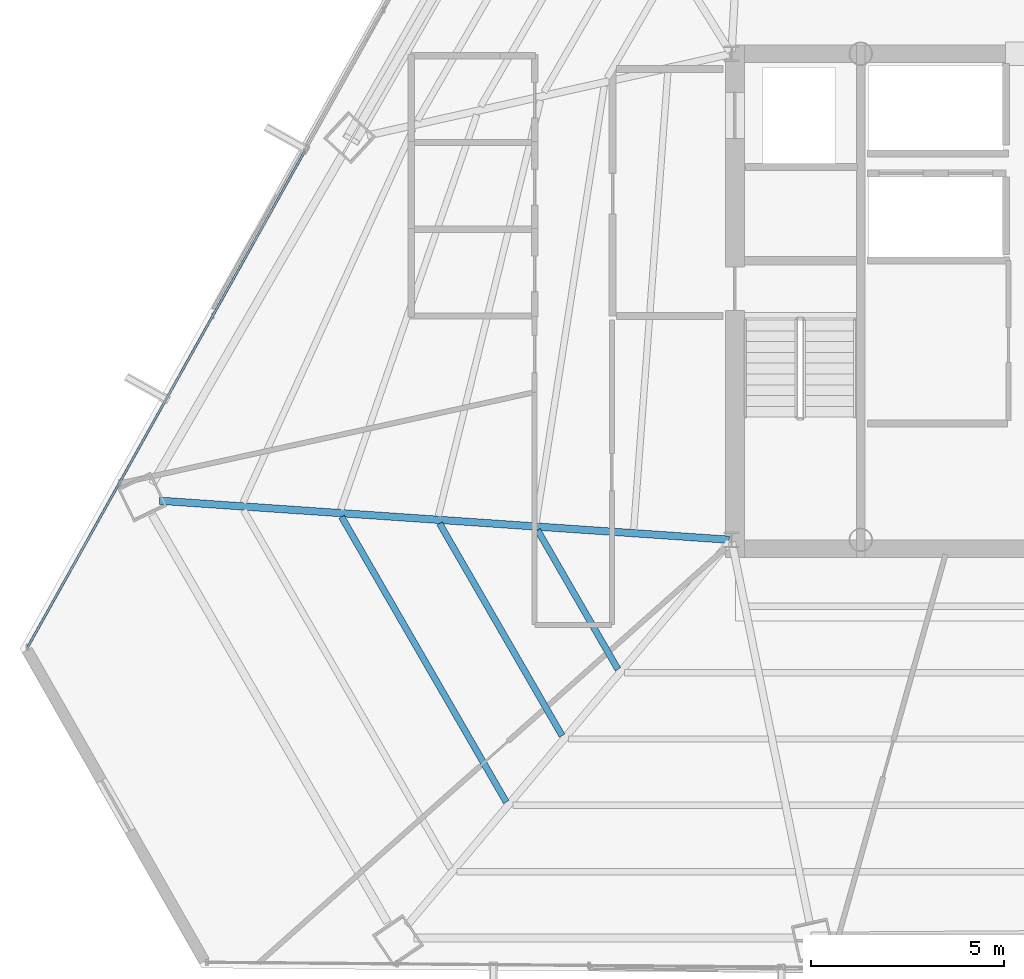
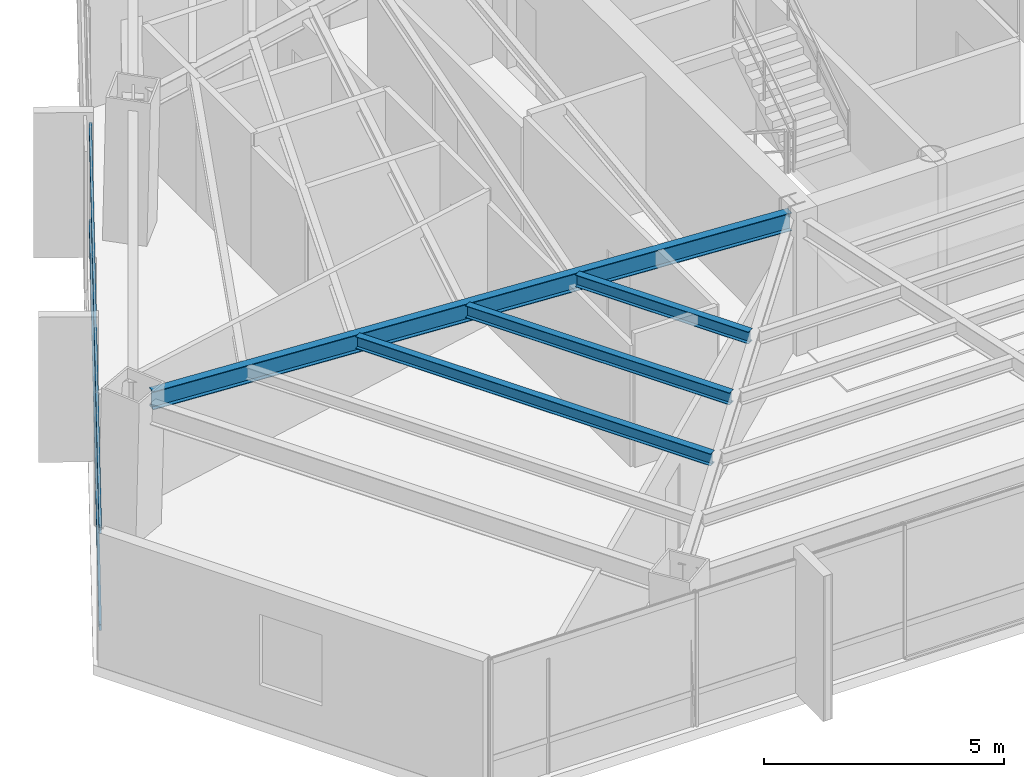
# One storey, part 7 of 39: 4 beams, 2 members, 1 element without a shape of its own.
"""IFC4 building model written with IfcOpenShell, lengths in metres."""

from ifc_helpers import new_model, si_unit, direction, frame, origin, origin_2d, place, context, subcontext, project, spatial, hollow_rectangle, i_section, extrude, source, transform, mapped, material, material_profile, profile_set, type_object, type_shapes, element, aggregate, save


model = new_model("IFC4")

# Units and contexts
model_context = context("Model", 3, precision=1e-05, world=origin(), true_north=direction((0.0, 1.0)))
body_context = subcontext(model_context, "Body", "Model", "MODEL_VIEW")
ifc_project = project(units=[si_unit("LENGTHUNIT", "METRE"), si_unit("AREAUNIT", "SQUARE_METRE"), si_unit("VOLUMEUNIT", "CUBIC_METRE"), si_unit("PLANEANGLEUNIT", "RADIAN"), si_unit("MASSUNIT", "GRAM", prefix="KILO")], contexts=[model_context])

# Site, building, storey
site_placement = place(None, origin())
site = spatial("IfcSite", under=ifc_project, at=site_placement, CompositionType="ELEMENT")
building_placement = place(site_placement, origin())
building = spatial("IfcBuilding", under=site, at=building_placement, Name="Caelisora Broadcast Tower", CompositionType="ELEMENT")
storey_placement = place(building_placement, frame((0.0, 0.0, 139.10009765625)))
storey = spatial("IfcBuildingStorey", under=building, at=storey_placement, Name="L36", CompositionType="ELEMENT", Elevation=139.10009765625)

# Beams
ifc_material_1 = material(Name="Steel Grade 350 (AS/NZS 3679.1)", Category="steel")
ifc_material_profile_1 = material_profile(ifc_material_1, i_section(OverallWidth=0.19091796875, OverallDepth=0.46044921875, WebThickness=0.010009765625, FlangeThickness=0.01611328125, at=origin_2d()), Name="Steel Grade 350 (AS/NZS 3679.1)")
ifc_profile_set_1 = profile_set([ifc_material_profile_1], Name="Steel Grade 350 (AS/NZS 3679.1)")
beam_type_1 = type_object("IfcBeamType", Name="PG06", PredefinedType="BEAM", material=ifc_profile_set_1)
shared_shape_1 = source(origin(), body_context, "Body", "SweptSolid", [
    extrude(i_section(OverallWidth=0.19091796875, OverallDepth=0.46044921875, WebThickness=0.010009765625, FlangeThickness=0.01611328125, at=origin_2d()), origin(), (0.0, 0.0, 1.0), 14.7998046875),
])
type_shapes(beam_type_1, [shared_shape_1])
beam_1_placement = place(storey_placement, frame((30.440185546875, 17.404052734375, 3.169677734375), z_axis=(-0.99766068532, 0.068360492741, 0.0), x_axis=(-0.068360492741, -0.99766068532, 0.0)))
element("IfcBeam", 1, at=beam_1_placement, inside=storey, type_object=beam_type_1, Name="L36 beam PG06", PredefinedType="BEAM", context=body_context, shape_type="MappedRepresentation", body=[
    mapped(shared_shape_1, transform((0.0, 0.0, 0.0), scale=1.0)),
])
ifc_material_profile_2 = material_profile(ifc_material_1, i_section(OverallWidth=0.166015625, OverallDepth=0.30712890625, WebThickness=0.006591796875, FlangeThickness=0.01171875, at=origin_2d()), Name="Steel Grade 350 (AS/NZS 3679.1)")
ifc_profile_set_2 = profile_set([ifc_material_profile_2], Name="Steel Grade 350 (AS/NZS 3679.1)")
beam_type_2 = type_object("IfcBeamType", Name="SB03", PredefinedType="JOIST", material=ifc_profile_set_2)
shared_shape_2 = source(origin(), body_context, "Body", "SweptSolid", [
    extrude(i_section(OverallWidth=0.166015625, OverallDepth=0.30712890625, WebThickness=0.006591796875, FlangeThickness=0.01171875, at=origin_2d()), origin(), (0.0, 0.0, 1.0), 4.163330078125),
])
beam_2_placement = place(storey_placement, frame((25.474609375, 17.651123046875, 3.246337890625), z_axis=(0.500030400183, -0.866007851519, 0.0), x_axis=(0.866007851519, 0.500030400183, 0.0)))
element("IfcBeam", 2, at=beam_2_placement, inside=storey, type_object=beam_type_2, Name="L36 beam SB03", PredefinedType="JOIST", context=body_context, shape_type="MappedRepresentation", body=[
    mapped(shared_shape_2, transform((0.0, 0.0, 0.0), scale=1.0)),
])
shared_shape_3 = source(origin(), body_context, "Body", "SweptSolid", [
    extrude(i_section(OverallWidth=0.166015625, OverallDepth=0.30712890625, WebThickness=0.006591796875, FlangeThickness=0.01171875, at=origin_2d()), origin(), (0.0, 0.0, 1.0), 6.350341796875),
])
beam_3_placement = place(storey_placement, frame((22.93408203125, 17.8251953125, 3.246337890625), z_axis=(0.499988692146, -0.866031932279, 0.0), x_axis=(0.866031932279, 0.499988692146, 0.0)))
element("IfcBeam", 3, at=beam_3_placement, inside=storey, type_object=beam_type_2, Name="L36 beam SB03", PredefinedType="JOIST", context=body_context, shape_type="MappedRepresentation", body=[
    mapped(shared_shape_3, transform((0.0, 0.0, 0.0), scale=1.0)),
])
shared_shape_4 = source(origin(), body_context, "Body", "SweptSolid", [
    extrude(i_section(OverallWidth=0.166015625, OverallDepth=0.30712890625, WebThickness=0.006591796875, FlangeThickness=0.01171875, at=origin_2d()), origin(), (0.0, 0.0, 1.0), 8.537109375),
])
type_shapes(beam_type_2, [shared_shape_2, shared_shape_3, shared_shape_4])
beam_4_placement = place(storey_placement, frame((20.393310546875, 17.999267578125, 3.246337890625), z_axis=(0.500002183393, -0.866024143198, 0.0), x_axis=(0.866024143198, 0.500002183393, 0.0)))
element("IfcBeam", 4, at=beam_4_placement, inside=storey, type_object=beam_type_2, Name="L36 beam SB03", PredefinedType="JOIST", context=body_context, shape_type="MappedRepresentation", body=[
    mapped(shared_shape_4, transform((0.0, 0.0, 0.0), scale=1.0)),
])

# Curtain wall, members
ifc_material_2 = material(Name="Unitised Aluminium and Low-E Glass Curtain Wall", Category="glass")
curtain_wall_type = type_object("IfcCurtainWallType", Name="CW-Z3", PredefinedType="NOTDEFINED", material=ifc_material_2)
curtain_wall_placement = place(storey_placement, origin())
curtain_wall = element("IfcCurtainWall", 5, at=curtain_wall_placement, inside=storey, type_object=curtain_wall_type, Name="L36 curtain wall CW-Z3", PredefinedType="NOTDEFINED")
ifc_material_3 = material(Name="Aluminium 6063-T6 Anodised Terracotta Bronze", Category="aluminium")
ifc_material_profile_3 = material_profile(ifc_material_3, hollow_rectangle(XDim=0.06005859375, YDim=0.14990234375, WallThickness=0.00341796875, at=origin_2d()), Name="Aluminium 6063-T6 Anodised Terracotta Bronze")
ifc_profile_set_3 = profile_set([ifc_material_profile_3], Name="Aluminium 6063-T6 Anodised Terracotta Bronze")
member_type = type_object("IfcMemberType", Name="CWT-02", PredefinedType="USERDEFINED", material=ifc_profile_set_3)
shared_shape_5 = source(origin(), body_context, "Body", "SweptSolid", [
    extrude(hollow_rectangle(XDim=0.06005859375, YDim=0.14990234375, WallThickness=0.00341796875, at=origin_2d()), origin(), (0.0, 0.0, 1.0), 14.730224609375),
])
type_shapes(member_type, [shared_shape_5])
member_1_placement = place(storey_placement, frame((12.25537109375, 14.61669921875, 0.849853515625), z_axis=(0.487805755964, 0.872952200552, 0.0), x_axis=(-0.872952200552, 0.487805755964, 0.0)))
member_1 = element("IfcMember", 6, at=member_1_placement, type_object=member_type, Name="L36-CW-B09 transom #1", ObjectType="TRANSOM", PredefinedType="USERDEFINED", context=body_context, shape_type="MappedRepresentation", body=[
    mapped(shared_shape_5, transform((0.0, 0.0, 0.0), scale=1.0)),
])
member_2_placement = place(storey_placement, frame((12.25537109375, 14.61669921875, 3.31982421875), z_axis=(0.487805755964, 0.872952200552, 0.0), x_axis=(-0.872952200552, 0.487805755964, 0.0)))
member_2 = element("IfcMember", 7, at=member_2_placement, type_object=member_type, Name="L36-CW-B09 transom #2", ObjectType="TRANSOM", PredefinedType="USERDEFINED", context=body_context, shape_type="MappedRepresentation", body=[
    mapped(shared_shape_5, transform((0.0, 0.0, 0.0), scale=1.0)),
])
aggregate(curtain_wall, [member_1, member_2])

save(model, "model.ifc")
